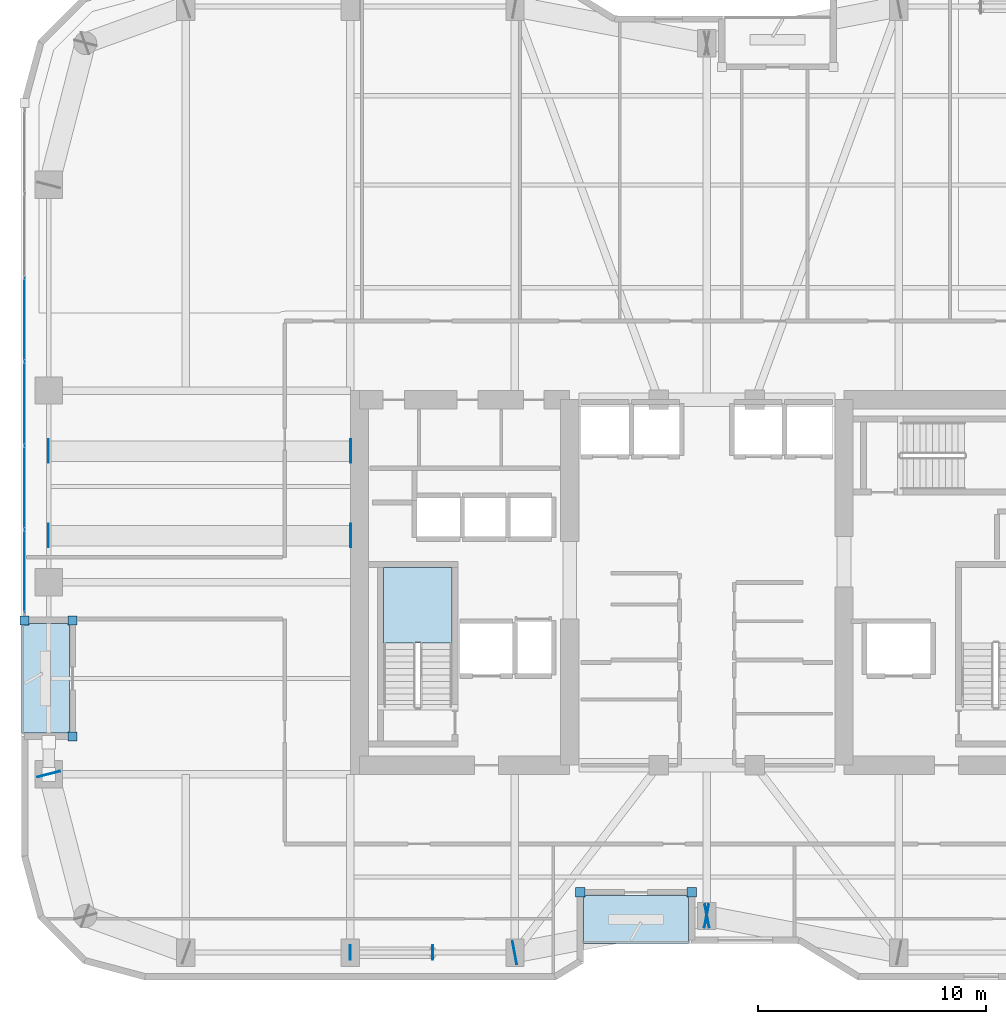
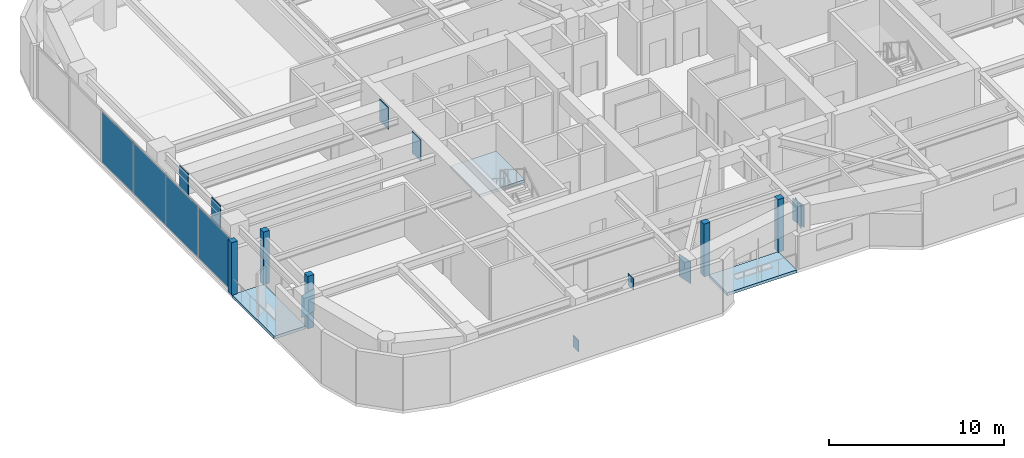
# One storey, part 21 of 30: 19 plates, 3 slabs, 2 elements without a shape of their own.
"""IFC4 building model written with IfcOpenShell, lengths in metres."""

from ifc_helpers import new_model, si_unit, direction, frame, origin, origin_2d, place, context, subcontext, project, spatial, polyline, rectangle, outline, extrude, material, layer, layer_set, type_object, element, aggregate, save


model = new_model("IFC4")

# Units and contexts
model_context = context("Model", 3, precision=1e-05, world=origin(), true_north=direction((0.0, 1.0)))
body_context = subcontext(model_context, "Body", "Model", "MODEL_VIEW")
ifc_project = project(units=[si_unit("LENGTHUNIT", "METRE"), si_unit("AREAUNIT", "SQUARE_METRE"), si_unit("VOLUMEUNIT", "CUBIC_METRE"), si_unit("PLANEANGLEUNIT", "RADIAN"), si_unit("MASSUNIT", "GRAM", prefix="KILO")], contexts=[model_context])

# Site, building, storey
site_placement = place(None, origin())
site = spatial("IfcSite", under=ifc_project, at=site_placement, CompositionType="ELEMENT")
building_placement = place(site_placement, origin())
building = spatial("IfcBuilding", under=site, at=building_placement, Name="Kiyonajd Concourse Tower", CompositionType="ELEMENT")
storey_placement = place(building_placement, frame((0.0, 0.0, 177.89990234375)))
storey = spatial("IfcBuildingStorey", under=building, at=storey_placement, Name="L45", CompositionType="ELEMENT", Elevation=177.89990234375)

# Plates
ifc_material_1 = material(Name="Steel ASTM A572 Grade 50", Category="steel")
ifc_layer_1 = layer(ifc_material_1, 0.028076171875)
ifc_layer_set_1 = layer_set([ifc_layer_1], Name="Steel ASTM A572 Grade 50")
plate_type_1 = type_object("IfcPlateType", Name="PL-CAP-450", PredefinedType="USERDEFINED", material=ifc_layer_set_1)
for number, where, z_axis, x_axis, name in (
    (1, (32.3916015625, 19.800048828125, -0.10888671875), (0.0, 0.0, 1.0), (-1.0, 0.0, 0.0), "L45 Hollow Brace End Cap Plate PBS"),
    (2, (36.00830078125, 19.800048828125, 2.93505859375), (0.0, 0.0, 1.0), (1.0, 0.0, 0.0), "L45 Hollow Brace Top Cap Plate PBS"),
):
    element("IfcPlate", number, at=place(storey_placement, frame(where, z_axis=z_axis, x_axis=x_axis)), inside=storey, type_object=plate_type_1, Name=name, ObjectType="CAP PLATE", PredefinedType="USERDEFINED", context=body_context, shape_type="SweptSolid", body=[
        extrude(rectangle(XDim=0.035888671875, YDim=0.6279296875, at=origin_2d()), origin(), (0.0, 0.0, 1.0), 0.803955078125),
    ])
ifc_layer_2 = layer(ifc_material_1, 0.031982421875)
ifc_layer_set_2 = layer_set([ifc_layer_2], Name="Steel ASTM A572 Grade 50")
plate_type_2 = type_object("IfcPlateType", Name="PL-CAP-540", PredefinedType="USERDEFINED", material=ifc_layer_set_2)
for number, where, z_axis, x_axis, name in (
    (3, (19.197265625, 27.610595703125, 2.2099609375), (0.0, 0.0, 1.0), (-0.249873048837, 0.968278606324, 0.0), "L45 Welded Box Girder End Cap"),
    (4, (39.589111328125, 19.7978515625, 2.2099609375), (0.0, 0.0, 1.0), (-0.982352599301, -0.187038420242, 0.0), "L45 Welded Box Girder End Cap"),
    (5, (48.0107421875, 21.402099609375, 2.2099609375), (0.0, 0.0, 1.0), (0.982352599301, 0.187038420242, 0.0), "L45 Welded Box Girder End Cap"),
    (6, (47.9892578125, 21.402099609375, 2.2099609375), (0.0, 0.0, 1.0), (-0.982352599301, 0.187038420242, 0.0), "L45 Welded Box Girder End Cap"),
    (7, (19.18896484375, 38.050048828125, 2.2099609375), (0.0, 0.0, 1.0), (-1.0, 0.0, 0.0), "L45 Welded Box Girder End Cap"),
    (8, (32.410888671875, 38.050048828125, 2.2099609375), (0.0, 0.0, 1.0), (1.0, 0.0, 0.0), "L45 Welded Box Girder End Cap"),
    (9, (19.18896484375, 41.75, 2.2099609375), (0.0, 0.0, 1.0), (-1.0, 0.0, 0.0), "L45 Welded Box Girder End Cap"),
    (10, (32.410888671875, 41.75, 2.2099609375), (0.0, 0.0, 1.0), (1.0, 0.0, 0.0), "L45 Welded Box Girder End Cap"),
):
    element("IfcPlate", number, at=place(storey_placement, frame(where, z_axis=z_axis, x_axis=x_axis)), inside=storey, type_object=plate_type_2, Name=name, ObjectType="CAP PLATE", PredefinedType="USERDEFINED", context=body_context, shape_type="SweptSolid", body=[
        extrude(rectangle(XDim=0.035888671875, YDim=1.02001953125, at=origin_2d()), origin(), (0.0, 0.0, 1.0), 1.5400390625),
    ])

# Curtain wall, plates
ifc_material_2 = material(Name="Thermally Broken Anodised Aluminium", Category="aluminium")
ifc_layer_3 = layer(ifc_material_2, 0.179931640625)
ifc_layer_set_3 = layer_set([ifc_layer_3], Name="Thermally Broken Anodised Aluminium")
curtain_wall_type = type_object("IfcCurtainWallType", Name="CW-SYS-03", PredefinedType="NOTDEFINED", material=ifc_layer_set_3)
curtain_wall_placement = place(storey_placement, origin())
curtain_wall = element("IfcCurtainWall", 11, at=curtain_wall_placement, inside=storey, type_object=curtain_wall_type, Name="L45 Unitised Curtain Wall CW3", PredefinedType="NOTDEFINED")
ifc_material_3 = material(Name="Double Low-E Insulated Glass", Category="glass")
ifc_layer_4 = layer(ifc_material_3, 0.033935546875)
ifc_layer_set_4 = layer_set([ifc_layer_4], Name="Double Low-E Insulated Glass")
plate_type_3 = type_object("IfcPlateType", Name="PL-CW-VIS34", PredefinedType="CURTAIN_PANEL", material=ifc_layer_set_4)
plate_1_placement = place(storey_placement, frame((18.139892578125, 36.484619140625, 0.06494140625), z_axis=(0.0, 0.0, 1.0), x_axis=(0.0, 1.0, 0.0)))
plate_1 = element("IfcPlate", 12, at=plate_1_placement, type_object=plate_type_3, Name="CW3 panel 1.1", PredefinedType="CURTAIN_PANEL", context=body_context, shape_type="SweptSolid", body=[
    extrude(rectangle(XDim=3.579345703125, YDim=0.033935546875, at=origin_2d()), origin(), (0.0, 0.0, 1.0), 3.550048828125),
])
plate_2_placement = place(storey_placement, frame((18.139892578125, 40.1455078125, 0.06494140625), z_axis=(0.0, 0.0, 1.0), x_axis=(0.0, 1.0, 0.0)))
plate_2 = element("IfcPlate", 13, at=plate_2_placement, type_object=plate_type_3, Name="CW3 panel 2.1", PredefinedType="CURTAIN_PANEL", context=body_context, shape_type="SweptSolid", body=[
    extrude(rectangle(XDim=3.61181640625, YDim=0.033935546875, at=origin_2d()), origin(), (0.0, 0.0, 1.0), 3.550048828125),
])
plate_3_placement = place(storey_placement, frame((18.139892578125, 43.822265625, 0.06494140625), z_axis=(0.0, 0.0, 1.0), x_axis=(0.0, 1.0, 0.0)))
plate_3 = element("IfcPlate", 14, at=plate_3_placement, type_object=plate_type_3, Name="CW3 panel 3.1", PredefinedType="CURTAIN_PANEL", context=body_context, shape_type="SweptSolid", body=[
    extrude(rectangle(XDim=3.61181640625, YDim=0.033935546875, at=origin_2d()), origin(), (0.0, 0.0, 1.0), 3.550048828125),
])
plate_4_placement = place(storey_placement, frame((18.139892578125, 47.499267578125, 0.06494140625), z_axis=(0.0, 0.0, 1.0), x_axis=(0.0, 1.0, 0.0)))
plate_4 = element("IfcPlate", 15, at=plate_4_placement, type_object=plate_type_3, Name="CW3 panel 4.1", PredefinedType="CURTAIN_PANEL", context=body_context, shape_type="SweptSolid", body=[
    extrude(rectangle(XDim=3.61181640625, YDim=0.033935546875, at=origin_2d()), origin(), (0.0, 0.0, 1.0), 3.550048828125),
])
aggregate(curtain_wall, [plate_1, plate_2, plate_3, plate_4])

# Plates
ifc_layer_5 = layer(ifc_material_2, 0.39990234375)
ifc_layer_set_5 = layer_set([ifc_layer_5], Name="Thermally Broken Anodised Aluminium")
plate_type_4 = type_object("IfcPlateType", Name="PL-JMB-400", PredefinedType="USERDEFINED", material=ifc_layer_set_5)
for number, where, z_axis, x_axis, name in (
    (16, (20.239990234375, 29.260009765625, 0.0), (0.0, 0.0, 1.0), (1.0, 0.0, 0.0), "L45 Facade Jamb Closure Plate 01"),
    (17, (20.239990234375, 34.340087890625, 0.0), (0.0, 0.0, 1.0), (1.0, 0.0, 0.0), "L45 Facade Jamb Closure Plate 02"),
    (18, (18.139892578125, 34.340087890625, 0.0), (0.0, 0.0, 1.0), (1.0, 0.0, 0.0), "L45 Facade Jamb Closure Plate 03"),
    (19, (47.340087890625, 22.43994140625, 0.0), (0.0, 0.0, 1.0), (1.0, 0.0, 0.0), "L45 Facade Jamb Closure Plate 13"),
    (20, (42.4599609375, 22.43994140625, 0.0), (0.0, 0.0, 1.0), (1.0, 0.0, 0.0), "L45 Facade Jamb Closure Plate 14"),
):
    element("IfcPlate", number, at=place(storey_placement, frame(where, z_axis=z_axis, x_axis=x_axis)), inside=storey, type_object=plate_type_4, Name=name, ObjectType="JAMB PLATE", PredefinedType="USERDEFINED", context=body_context, shape_type="SweptSolid", body=[
        extrude(rectangle(XDim=0.39990234375, YDim=0.39990234375, at=origin_2d()), origin(), (0.0, 0.0, 1.0), 3.679931640625),
    ])

# Stair, slab
ifc_material_4 = material(Name="Concrete C40/50", Category="concrete")
stair_type = type_object("IfcStairType", Name="ST-DLG-22R", PredefinedType="HALF_TURN_STAIR", material=ifc_material_4)
stair_placement = place(storey_placement, origin())
stair = element("IfcStair", 21, at=stair_placement, inside=storey, type_object=stair_type, Name="L45 Protected Exit Stair ST1", PredefinedType="HALF_TURN_STAIR")
ifc_layer_6 = layer(ifc_material_4, 0.199951171875)
ifc_layer_set_6 = layer_set([ifc_layer_6], Name="Concrete C40/50")
slab_type_1 = type_object("IfcSlabType", Name="SL-LND-200", PredefinedType="LANDING", material=ifc_layer_set_6)
slab_1_placement = place(storey_placement, frame((0.0, 0.0, 1.75)))
slab_1 = element("IfcSlab", 22, at=slab_1_placement, type_object=slab_type_1, Name="ST1 landing 1", PredefinedType="LANDING", context=body_context, shape_type="SweptSolid", body=[
    extrude(outline(polyline([(36.85009765625, 33.35009765625), (36.85009765625, 36.64990234375), (33.85009765625, 36.64990234375), (33.85009765625, 33.35009765625), (36.85009765625, 33.35009765625)])), origin(), (0.0, 0.0, 1.0), 0.2001953125),
])
aggregate(stair, [slab_1])

# Slabs
ifc_material_5 = material(Name="Precast concrete C50/60", Category="concrete")
ifc_layer_7 = layer(ifc_material_5, 0.199951171875)
ifc_layer_set_7 = layer_set([ifc_layer_7], Name="Precast concrete C50/60")
slab_type_2 = type_object("IfcSlabType", Name="SL-LOG-200", PredefinedType="FLOOR", material=ifc_layer_set_7)
slab_2_placement = place(storey_placement, frame((0.0, 0.0, -0.199951171875)))
element("IfcSlab", 23, at=slab_2_placement, inside=storey, type_object=slab_type_2, Name="L45 Recessed Engawa Loggia Terrace Slab LOG-S", PredefinedType="FLOOR", context=body_context, shape_type="SweptSolid", body=[
    extrude(outline(polyline([(42.60009765625, 20.199951171875), (47.199951171875, 20.199951171875), (47.199951171875, 22.300048828125), (42.60009765625, 22.300048828125), (42.60009765625, 20.199951171875)])), origin(), (0.0, 0.0, 1.0), 0.199951171875),
])
slab_3_placement = place(storey_placement, frame((0.0, 0.0, -0.199951171875)))
element("IfcSlab", 24, at=slab_3_placement, inside=storey, type_object=slab_type_2, Name="L45 Recessed Engawa Loggia Terrace Slab LOG-W", PredefinedType="FLOOR", context=body_context, shape_type="SweptSolid", body=[
    extrude(outline(polyline([(18.0, 29.39990234375), (20.10009765625, 29.39990234375), (20.10009765625, 34.199951171875), (18.0, 34.199951171875), (18.0, 29.39990234375)])), origin(), (0.0, 0.0, 1.0), 0.199951171875),
])

save(model, "model.ifc")
